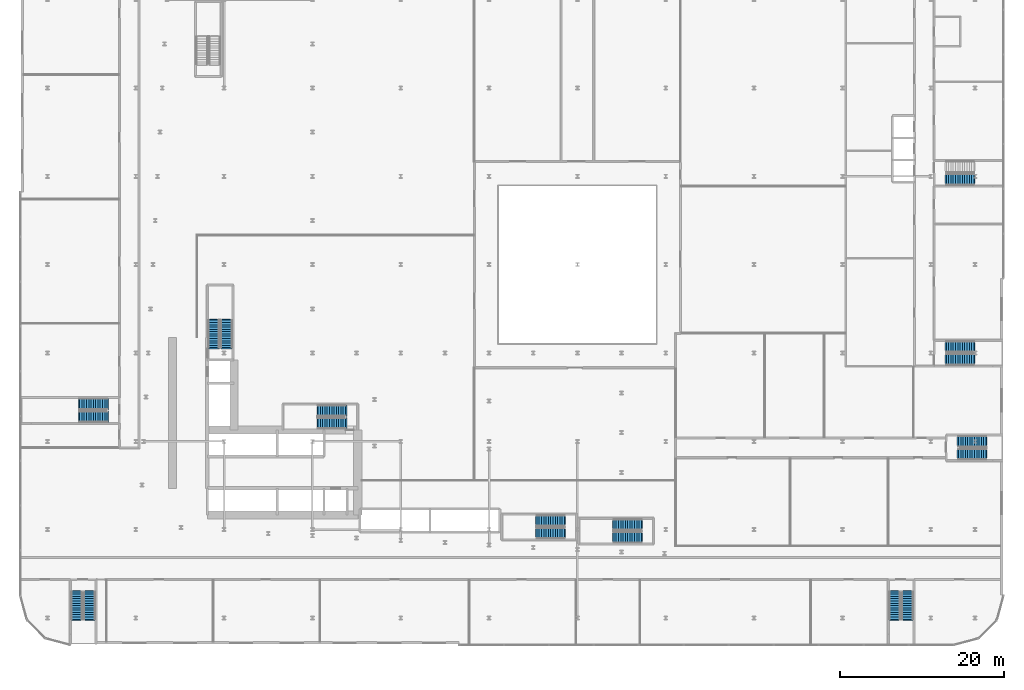
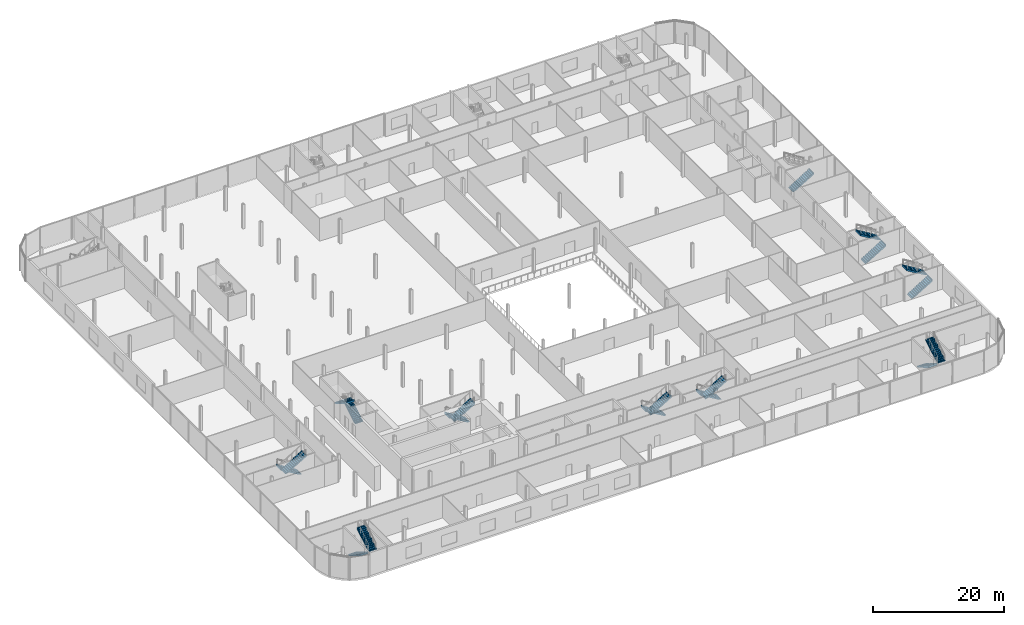
# One storey, part 37 of 47: 19 stair flights, 10 elements without a shape of their own.
"""IFC4 building model written with IfcOpenShell, lengths in metres."""

from ifc_helpers import new_model, si_unit, direction, frame, origin, place, context, subcontext, project, spatial, polyline, outline, extrude, material, layer, layer_set, type_object, element, aggregate, save


model = new_model("IFC4")

# Units and contexts
model_context = context("Model", 3, precision=1e-05, world=origin(), true_north=direction((0.0, 1.0)))
body_context = subcontext(model_context, "Body", "Model", "MODEL_VIEW")
ifc_project = project(units=[si_unit("LENGTHUNIT", "METRE"), si_unit("AREAUNIT", "SQUARE_METRE"), si_unit("VOLUMEUNIT", "CUBIC_METRE"), si_unit("PLANEANGLEUNIT", "RADIAN"), si_unit("MASSUNIT", "GRAM", prefix="KILO")], contexts=[model_context])

# Site, building, storey
site_placement = place(None, origin())
site = spatial("IfcSite", under=ifc_project, at=site_placement, CompositionType="ELEMENT")
building_placement = place(site_placement, origin())
building = spatial("IfcBuilding", under=site, at=building_placement, Name="Kheshtan School and Residences Tower", CompositionType="ELEMENT")
storey_placement = place(building_placement, frame((0.0, 0.0, 21.5)))
storey = spatial("IfcBuildingStorey", under=building, at=storey_placement, Name="L04", CompositionType="ELEMENT", Elevation=21.5)

# Stair, stair flights
ifc_material = material(Name="Concrete C40/50", Category="concrete")
stair_type = type_object("IfcStairType", Name="Exit stair, half-turn", PredefinedType="HALF_TURN_STAIR", material=ifc_material)
stair_1_placement = place(storey_placement, origin())
stair_1 = element("IfcStair", 1, at=stair_1_placement, inside=storey, type_object=stair_type, Name="L04 Protected Exit Stair ST1", PredefinedType="HALF_TURN_STAIR")
ifc_layer = layer(ifc_material, 0.14990234375)
ifc_layer_set = layer_set([ifc_layer], Name="Stair flight 1400 Concrete C40/50")
stair_flight_type = type_object("IfcStairFlightType", Name="Stair flight 1400 Concrete C40/50", PredefinedType="STRAIGHT", material=ifc_layer_set)
stair_flight_1_placement = place(storey_placement, frame((51.64990234375, 38.550048828125, 0.0), z_axis=(0.0, 0.0, 1.0), x_axis=(-1.0, 0.0, 0.0)))
stair_flight_1 = element("IfcStairFlight", 2, at=stair_flight_1_placement, type_object=stair_flight_type, Name="ST1 flight 1", NumberOfRisers=13, NumberOfTreads=12, PredefinedType="STRAIGHT", RiserHeight=0.173076923, TreadLength=0.28, context=body_context, shape_type="SweptSolid", body=[
    extrude(outline(polyline([(-0.14990234375, -0.10009765625), (-0.14990234375, 0.0), (0.0, 0.0), (0.0, 0.173095703125), (0.280029296875, 0.173095703125), (0.280029296875, 0.34619140625), (0.56005859375, 0.34619140625), (0.56005859375, 0.519287109375), (0.840087890625, 0.519287109375), (0.840087890625, 0.6923828125), (1.1201171875, 0.6923828125), (1.1201171875, 0.865478515625), (1.39990234375, 0.865478515625), (1.39990234375, 1.03857421875), (1.679931640625, 1.03857421875), (1.679931640625, 1.21142578125), (1.9599609375, 1.21142578125), (1.9599609375, 1.384521484375), (2.239990234375, 1.384521484375), (2.239990234375, 1.5576171875), (2.52001953125, 1.5576171875), (2.52001953125, 1.730712890625), (2.800048828125, 1.730712890625), (2.800048828125, 1.90380859375), (3.080078125, 1.90380859375), (3.080078125, 2.076904296875), (3.360107421875, 2.076904296875), (3.360107421875, 2.25), (3.360107421875, 2.27001953125), (3.510009765625, 2.27001953125), (3.510009765625, 1.900634765625), (0.28515625, 0.0), (-0.14990234375, -0.10009765625)])), frame((0.0, 0.699951171875, 0.0), z_axis=(0.0, -1.0, 0.0), x_axis=(1.0, 0.0, 0.0)), (0.0, 0.0, 1.0), 1.39990234375),
])
stair_flight_2_placement = place(storey_placement, frame((48.2900390625, 37.0, 2.25), z_axis=(0.0, 0.0, 1.0), x_axis=(1.0, 0.0, 0.0)))
stair_flight_2 = element("IfcStairFlight", 3, at=stair_flight_2_placement, type_object=stair_flight_type, Name="ST1 flight 2", NumberOfRisers=13, NumberOfTreads=12, PredefinedType="STRAIGHT", RiserHeight=0.173076923, TreadLength=0.28, context=body_context, shape_type="SweptSolid", body=[
    extrude(outline(polyline([(-0.14990234375, -0.10009765625), (-0.14990234375, 0.0), (0.0, 0.0), (0.0, 0.173095703125), (0.280029296875, 0.173095703125), (0.280029296875, 0.34619140625), (0.56005859375, 0.34619140625), (0.56005859375, 0.519287109375), (0.840087890625, 0.519287109375), (0.840087890625, 0.6923828125), (1.1201171875, 0.6923828125), (1.1201171875, 0.865478515625), (1.39990234375, 0.865478515625), (1.39990234375, 1.03857421875), (1.679931640625, 1.03857421875), (1.679931640625, 1.21142578125), (1.9599609375, 1.21142578125), (1.9599609375, 1.384521484375), (2.239990234375, 1.384521484375), (2.239990234375, 1.5576171875), (2.52001953125, 1.5576171875), (2.52001953125, 1.730712890625), (2.800048828125, 1.730712890625), (2.800048828125, 1.90380859375), (3.080078125, 1.90380859375), (3.080078125, 2.076904296875), (3.360107421875, 2.076904296875), (3.360107421875, 2.25), (3.360107421875, 2.27001953125), (3.510009765625, 2.27001953125), (3.510009765625, 1.900634765625), (0.28515625, 0.0), (-0.14990234375, -0.10009765625)])), frame((0.0, 0.699951171875, 0.0), z_axis=(0.0, -1.0, 0.0), x_axis=(1.0, 0.0, 0.0)), (0.0, 0.0, 1.0), 1.39990234375),
])
aggregate(stair_1, [stair_flight_1, stair_flight_2])

stair_2_placement = place(storey_placement, origin())
stair_2 = element("IfcStair", 4, at=stair_2_placement, inside=storey, type_object=stair_type, Name="L04 Protected Exit Stair ST2", PredefinedType="HALF_TURN_STAIR")
stair_flight_3_placement = place(storey_placement, frame((37.10009765625, 46.25, 0.0), z_axis=(0.0, 0.0, 1.0), x_axis=(0.0, 1.0, 0.0)))
stair_flight_3 = element("IfcStairFlight", 5, at=stair_flight_3_placement, type_object=stair_flight_type, Name="ST2 flight 1", NumberOfRisers=13, NumberOfTreads=12, PredefinedType="STRAIGHT", RiserHeight=0.173076923, TreadLength=0.28, context=body_context, shape_type="SweptSolid", body=[
    extrude(outline(polyline([(-0.14990234375, -0.10009765625), (-0.14990234375, 0.0), (0.0, 0.0), (0.0, 0.173095703125), (0.280029296875, 0.173095703125), (0.280029296875, 0.34619140625), (0.56005859375, 0.34619140625), (0.56005859375, 0.519287109375), (0.840087890625, 0.519287109375), (0.840087890625, 0.6923828125), (1.1201171875, 0.6923828125), (1.1201171875, 0.865478515625), (1.39990234375, 0.865478515625), (1.39990234375, 1.03857421875), (1.679931640625, 1.03857421875), (1.679931640625, 1.21142578125), (1.9599609375, 1.21142578125), (1.9599609375, 1.384521484375), (2.239990234375, 1.384521484375), (2.239990234375, 1.5576171875), (2.52001953125, 1.5576171875), (2.52001953125, 1.730712890625), (2.800048828125, 1.730712890625), (2.800048828125, 1.90380859375), (3.080078125, 1.90380859375), (3.080078125, 2.076904296875), (3.360107421875, 2.076904296875), (3.360107421875, 2.25), (3.360107421875, 2.27001953125), (3.510009765625, 2.27001953125), (3.510009765625, 1.900634765625), (0.28515625, 0.0), (-0.14990234375, -0.10009765625)])), frame((0.0, 0.699951171875, 0.0), z_axis=(0.0, -1.0, 0.0), x_axis=(1.0, 0.0, 0.0)), (0.0, 0.0, 1.0), 1.39990234375),
])
stair_flight_4_placement = place(storey_placement, frame((35.550048828125, 49.610107421875, 2.25), z_axis=(0.0, 0.0, 1.0), x_axis=(0.0, -1.0, 0.0)))
stair_flight_4 = element("IfcStairFlight", 6, at=stair_flight_4_placement, type_object=stair_flight_type, Name="ST2 flight 2", NumberOfRisers=13, NumberOfTreads=12, PredefinedType="STRAIGHT", RiserHeight=0.173076923, TreadLength=0.28, context=body_context, shape_type="SweptSolid", body=[
    extrude(outline(polyline([(-0.14990234375, -0.10009765625), (-0.14990234375, 0.0), (0.0, 0.0), (0.0, 0.173095703125), (0.280029296875, 0.173095703125), (0.280029296875, 0.34619140625), (0.56005859375, 0.34619140625), (0.56005859375, 0.519287109375), (0.840087890625, 0.519287109375), (0.840087890625, 0.6923828125), (1.1201171875, 0.6923828125), (1.1201171875, 0.865478515625), (1.39990234375, 0.865478515625), (1.39990234375, 1.03857421875), (1.679931640625, 1.03857421875), (1.679931640625, 1.21142578125), (1.9599609375, 1.21142578125), (1.9599609375, 1.384521484375), (2.239990234375, 1.384521484375), (2.239990234375, 1.5576171875), (2.52001953125, 1.5576171875), (2.52001953125, 1.730712890625), (2.800048828125, 1.730712890625), (2.800048828125, 1.90380859375), (3.080078125, 1.90380859375), (3.080078125, 2.076904296875), (3.360107421875, 2.076904296875), (3.360107421875, 2.25), (3.360107421875, 2.27001953125), (3.510009765625, 2.27001953125), (3.510009765625, 1.900634765625), (0.28515625, 0.0), (-0.14990234375, -0.10009765625)])), frame((0.0, 0.699951171875, 0.0), z_axis=(0.0, -1.0, 0.0), x_axis=(1.0, 0.0, 0.0)), (0.0, 0.0, 1.0), 1.39990234375),
])
aggregate(stair_2, [stair_flight_3, stair_flight_4])

stair_3_placement = place(storey_placement, origin())
stair_3 = element("IfcStair", 7, at=stair_3_placement, inside=storey, type_object=stair_type, Name="L04 Protected Exit Stair ST4", PredefinedType="HALF_TURN_STAIR")
stair_flight_5_placement = place(storey_placement, frame((87.820068359375, 24.60009765625, 0.0), z_axis=(0.0, 0.0, 1.0), x_axis=(-1.0, 0.0, 0.0)))
stair_flight_5 = element("IfcStairFlight", 8, at=stair_flight_5_placement, type_object=stair_flight_type, Name="ST4 flight 1", NumberOfRisers=13, NumberOfTreads=12, PredefinedType="STRAIGHT", RiserHeight=0.173076923, TreadLength=0.28, context=body_context, shape_type="SweptSolid", body=[
    extrude(outline(polyline([(-0.14990234375, -0.10009765625), (-0.14990234375, 0.0), (0.0, 0.0), (0.0, 0.173095703125), (0.280029296875, 0.173095703125), (0.280029296875, 0.34619140625), (0.56005859375, 0.34619140625), (0.56005859375, 0.519287109375), (0.840087890625, 0.519287109375), (0.840087890625, 0.6923828125), (1.1201171875, 0.6923828125), (1.1201171875, 0.865478515625), (1.39990234375, 0.865478515625), (1.39990234375, 1.03857421875), (1.679931640625, 1.03857421875), (1.679931640625, 1.21142578125), (1.9599609375, 1.21142578125), (1.9599609375, 1.384521484375), (2.239990234375, 1.384521484375), (2.239990234375, 1.5576171875), (2.52001953125, 1.5576171875), (2.52001953125, 1.730712890625), (2.800048828125, 1.730712890625), (2.800048828125, 1.90380859375), (3.080078125, 1.90380859375), (3.080078125, 2.076904296875), (3.360107421875, 2.076904296875), (3.360107421875, 2.25), (3.360107421875, 2.27001953125), (3.510009765625, 2.27001953125), (3.510009765625, 1.900634765625), (0.28515625, 0.0), (-0.14990234375, -0.10009765625)])), frame((0.0, 0.699951171875, 0.0), z_axis=(0.0, -1.0, 0.0), x_axis=(1.0, 0.0, 0.0)), (0.0, 0.0, 1.0), 1.39990234375),
])
stair_flight_6_placement = place(storey_placement, frame((84.4599609375, 23.050048828125, 2.25), z_axis=(0.0, 0.0, 1.0), x_axis=(1.0, 0.0, 0.0)))
stair_flight_6 = element("IfcStairFlight", 9, at=stair_flight_6_placement, type_object=stair_flight_type, Name="ST4 flight 2", NumberOfRisers=13, NumberOfTreads=12, PredefinedType="STRAIGHT", RiserHeight=0.173076923, TreadLength=0.28, context=body_context, shape_type="SweptSolid", body=[
    extrude(outline(polyline([(-0.14990234375, -0.10009765625), (-0.14990234375, 0.0), (0.0, 0.0), (0.0, 0.173095703125), (0.280029296875, 0.173095703125), (0.280029296875, 0.34619140625), (0.56005859375, 0.34619140625), (0.56005859375, 0.519287109375), (0.840087890625, 0.519287109375), (0.840087890625, 0.6923828125), (1.1201171875, 0.6923828125), (1.1201171875, 0.865478515625), (1.39990234375, 0.865478515625), (1.39990234375, 1.03857421875), (1.679931640625, 1.03857421875), (1.679931640625, 1.21142578125), (1.9599609375, 1.21142578125), (1.9599609375, 1.384521484375), (2.239990234375, 1.384521484375), (2.239990234375, 1.5576171875), (2.52001953125, 1.5576171875), (2.52001953125, 1.730712890625), (2.800048828125, 1.730712890625), (2.800048828125, 1.90380859375), (3.080078125, 1.90380859375), (3.080078125, 2.076904296875), (3.360107421875, 2.076904296875), (3.360107421875, 2.25), (3.360107421875, 2.27001953125), (3.510009765625, 2.27001953125), (3.510009765625, 1.900634765625), (0.28515625, 0.0), (-0.14990234375, -0.10009765625)])), frame((0.0, 0.699951171875, 0.0), z_axis=(0.0, -1.0, 0.0), x_axis=(1.0, 0.0, 0.0)), (0.0, 0.0, 1.0), 1.39990234375),
])
aggregate(stair_3, [stair_flight_5, stair_flight_6])

stair_4_placement = place(storey_placement, origin())
stair_4 = element("IfcStair", 10, at=stair_4_placement, inside=storey, type_object=stair_type, Name="L04 Protected Exit Stair ST5", PredefinedType="HALF_TURN_STAIR")
stair_flight_7_placement = place(storey_placement, frame((78.409912109375, 25.10009765625, 0.0), z_axis=(0.0, 0.0, 1.0), x_axis=(-1.0, 0.0, 0.0)))
stair_flight_7 = element("IfcStairFlight", 11, at=stair_flight_7_placement, type_object=stair_flight_type, Name="ST5 flight 1", NumberOfRisers=13, NumberOfTreads=12, PredefinedType="STRAIGHT", RiserHeight=0.173076923, TreadLength=0.28, context=body_context, shape_type="SweptSolid", body=[
    extrude(outline(polyline([(-0.14990234375, -0.10009765625), (-0.14990234375, 0.0), (0.0, 0.0), (0.0, 0.173095703125), (0.280029296875, 0.173095703125), (0.280029296875, 0.34619140625), (0.56005859375, 0.34619140625), (0.56005859375, 0.519287109375), (0.840087890625, 0.519287109375), (0.840087890625, 0.6923828125), (1.1201171875, 0.6923828125), (1.1201171875, 0.865478515625), (1.39990234375, 0.865478515625), (1.39990234375, 1.03857421875), (1.679931640625, 1.03857421875), (1.679931640625, 1.21142578125), (1.9599609375, 1.21142578125), (1.9599609375, 1.384521484375), (2.239990234375, 1.384521484375), (2.239990234375, 1.5576171875), (2.52001953125, 1.5576171875), (2.52001953125, 1.730712890625), (2.800048828125, 1.730712890625), (2.800048828125, 1.90380859375), (3.080078125, 1.90380859375), (3.080078125, 2.076904296875), (3.360107421875, 2.076904296875), (3.360107421875, 2.25), (3.360107421875, 2.27001953125), (3.510009765625, 2.27001953125), (3.510009765625, 1.900634765625), (0.28515625, 0.0), (-0.14990234375, -0.10009765625)])), frame((0.0, 0.699951171875, 0.0), z_axis=(0.0, -1.0, 0.0), x_axis=(1.0, 0.0, 0.0)), (0.0, 0.0, 1.0), 1.39990234375),
])
stair_flight_8_placement = place(storey_placement, frame((75.050048828125, 23.550048828125, 2.25), z_axis=(0.0, 0.0, 1.0), x_axis=(1.0, 0.0, 0.0)))
stair_flight_8 = element("IfcStairFlight", 12, at=stair_flight_8_placement, type_object=stair_flight_type, Name="ST5 flight 2", NumberOfRisers=13, NumberOfTreads=12, PredefinedType="STRAIGHT", RiserHeight=0.173076923, TreadLength=0.28, context=body_context, shape_type="SweptSolid", body=[
    extrude(outline(polyline([(-0.14990234375, -0.10009765625), (-0.14990234375, 0.0), (0.0, 0.0), (0.0, 0.173095703125), (0.280029296875, 0.173095703125), (0.280029296875, 0.34619140625), (0.56005859375, 0.34619140625), (0.56005859375, 0.519287109375), (0.840087890625, 0.519287109375), (0.840087890625, 0.6923828125), (1.1201171875, 0.6923828125), (1.1201171875, 0.865478515625), (1.39990234375, 0.865478515625), (1.39990234375, 1.03857421875), (1.679931640625, 1.03857421875), (1.679931640625, 1.21142578125), (1.9599609375, 1.21142578125), (1.9599609375, 1.384521484375), (2.239990234375, 1.384521484375), (2.239990234375, 1.5576171875), (2.52001953125, 1.5576171875), (2.52001953125, 1.730712890625), (2.800048828125, 1.730712890625), (2.800048828125, 1.90380859375), (3.080078125, 1.90380859375), (3.080078125, 2.076904296875), (3.360107421875, 2.076904296875), (3.360107421875, 2.25), (3.360107421875, 2.27001953125), (3.510009765625, 2.27001953125), (3.510009765625, 1.900634765625), (0.28515625, 0.0), (-0.14990234375, -0.10009765625)])), frame((0.0, 0.699951171875, 0.0), z_axis=(0.0, -1.0, 0.0), x_axis=(1.0, 0.0, 0.0)), (0.0, 0.0, 1.0), 1.39990234375),
])
aggregate(stair_4, [stair_flight_7, stair_flight_8])

stair_5_placement = place(storey_placement, origin())
stair_5 = element("IfcStair", 13, at=stair_5_placement, inside=storey, type_object=stair_type, Name="L04 Civic Exit Stair 012-037", PredefinedType="HALF_TURN_STAIR")
stair_flight_9_placement = place(storey_placement, frame((22.5, 39.35009765625, 0.0), z_axis=(0.0, 0.0, 1.0), x_axis=(-1.0, 0.0, 0.0)))
stair_flight_9 = element("IfcStairFlight", 14, at=stair_flight_9_placement, type_object=stair_flight_type, Name="PS-012-037 flight 1", NumberOfRisers=13, NumberOfTreads=12, PredefinedType="STRAIGHT", RiserHeight=0.173076923, TreadLength=0.28, context=body_context, shape_type="SweptSolid", body=[
    extrude(outline(polyline([(-0.14990234375, -0.10009765625), (-0.14990234375, 0.0), (0.0, 0.0), (0.0, 0.173095703125), (0.280029296875, 0.173095703125), (0.280029296875, 0.34619140625), (0.56005859375, 0.34619140625), (0.56005859375, 0.519287109375), (0.840087890625, 0.519287109375), (0.840087890625, 0.6923828125), (1.1201171875, 0.6923828125), (1.1201171875, 0.865478515625), (1.39990234375, 0.865478515625), (1.39990234375, 1.03857421875), (1.679931640625, 1.03857421875), (1.679931640625, 1.21142578125), (1.9599609375, 1.21142578125), (1.9599609375, 1.384521484375), (2.239990234375, 1.384521484375), (2.239990234375, 1.5576171875), (2.52001953125, 1.5576171875), (2.52001953125, 1.730712890625), (2.800048828125, 1.730712890625), (2.800048828125, 1.90380859375), (3.080078125, 1.90380859375), (3.080078125, 2.076904296875), (3.360107421875, 2.076904296875), (3.360107421875, 2.25), (3.360107421875, 2.27001953125), (3.510009765625, 2.27001953125), (3.510009765625, 1.900634765625), (0.28515625, 0.0), (-0.14990234375, -0.10009765625)])), frame((0.0, 0.699951171875, 0.0), z_axis=(0.0, -1.0, 0.0), x_axis=(1.0, 0.0, 0.0)), (0.0, 0.0, 1.0), 1.39990234375),
])
stair_flight_10_placement = place(storey_placement, frame((19.139892578125, 37.800048828125, 2.25), z_axis=(0.0, 0.0, 1.0), x_axis=(1.0, 0.0, 0.0)))
stair_flight_10 = element("IfcStairFlight", 15, at=stair_flight_10_placement, type_object=stair_flight_type, Name="PS-012-037 flight 2", NumberOfRisers=13, NumberOfTreads=12, PredefinedType="STRAIGHT", RiserHeight=0.173076923, TreadLength=0.28, context=body_context, shape_type="SweptSolid", body=[
    extrude(outline(polyline([(-0.14990234375, -0.10009765625), (-0.14990234375, 0.0), (0.0, 0.0), (0.0, 0.173095703125), (0.280029296875, 0.173095703125), (0.280029296875, 0.34619140625), (0.56005859375, 0.34619140625), (0.56005859375, 0.519287109375), (0.840087890625, 0.519287109375), (0.840087890625, 0.6923828125), (1.1201171875, 0.6923828125), (1.1201171875, 0.865478515625), (1.39990234375, 0.865478515625), (1.39990234375, 1.03857421875), (1.679931640625, 1.03857421875), (1.679931640625, 1.21142578125), (1.9599609375, 1.21142578125), (1.9599609375, 1.384521484375), (2.239990234375, 1.384521484375), (2.239990234375, 1.5576171875), (2.52001953125, 1.5576171875), (2.52001953125, 1.730712890625), (2.800048828125, 1.730712890625), (2.800048828125, 1.90380859375), (3.080078125, 1.90380859375), (3.080078125, 2.076904296875), (3.360107421875, 2.076904296875), (3.360107421875, 2.25), (3.360107421875, 2.27001953125), (3.510009765625, 2.27001953125), (3.510009765625, 1.900634765625), (0.28515625, 0.0), (-0.14990234375, -0.10009765625)])), frame((0.0, 0.699951171875, 0.0), z_axis=(0.0, -1.0, 0.0), x_axis=(1.0, 0.0, 0.0)), (0.0, 0.0, 1.0), 1.39990234375),
])
aggregate(stair_5, [stair_flight_9, stair_flight_10])

stair_6_placement = place(storey_placement, origin())
stair_6 = element("IfcStair", 16, at=stair_6_placement, inside=storey, type_object=stair_type, Name="L04 Civic Exit Stair 018-010", PredefinedType="HALF_TURN_STAIR")
stair_flight_11_placement = place(storey_placement, frame((18.800048828125, 16.39990234375, 0.0), z_axis=(0.0, 0.0, 1.0), x_axis=(0.0, -1.0, 0.0)))
stair_flight_11 = element("IfcStairFlight", 17, at=stair_flight_11_placement, type_object=stair_flight_type, Name="PS-018-010 flight 1", NumberOfRisers=13, NumberOfTreads=12, PredefinedType="STRAIGHT", RiserHeight=0.173076923, TreadLength=0.28, context=body_context, shape_type="SweptSolid", body=[
    extrude(outline(polyline([(-0.14990234375, -0.10009765625), (-0.14990234375, 0.0), (0.0, 0.0), (0.0, 0.173095703125), (0.280029296875, 0.173095703125), (0.280029296875, 0.34619140625), (0.56005859375, 0.34619140625), (0.56005859375, 0.519287109375), (0.840087890625, 0.519287109375), (0.840087890625, 0.6923828125), (1.1201171875, 0.6923828125), (1.1201171875, 0.865478515625), (1.39990234375, 0.865478515625), (1.39990234375, 1.03857421875), (1.679931640625, 1.03857421875), (1.679931640625, 1.21142578125), (1.9599609375, 1.21142578125), (1.9599609375, 1.384521484375), (2.239990234375, 1.384521484375), (2.239990234375, 1.5576171875), (2.52001953125, 1.5576171875), (2.52001953125, 1.730712890625), (2.800048828125, 1.730712890625), (2.800048828125, 1.90380859375), (3.080078125, 1.90380859375), (3.080078125, 2.076904296875), (3.360107421875, 2.076904296875), (3.360107421875, 2.25), (3.360107421875, 2.27001953125), (3.510009765625, 2.27001953125), (3.510009765625, 1.900634765625), (0.28515625, 0.0), (-0.14990234375, -0.10009765625)])), frame((0.0, 0.699951171875, 0.0), z_axis=(0.0, -1.0, 0.0), x_axis=(1.0, 0.0, 0.0)), (0.0, 0.0, 1.0), 1.39990234375),
])
stair_flight_12_placement = place(storey_placement, frame((20.35009765625, 13.0400390625, 2.25), z_axis=(0.0, 0.0, 1.0), x_axis=(0.0, 1.0, 0.0)))
stair_flight_12 = element("IfcStairFlight", 18, at=stair_flight_12_placement, type_object=stair_flight_type, Name="PS-018-010 flight 2", NumberOfRisers=13, NumberOfTreads=12, PredefinedType="STRAIGHT", RiserHeight=0.173076923, TreadLength=0.28, context=body_context, shape_type="SweptSolid", body=[
    extrude(outline(polyline([(-0.14990234375, -0.10009765625), (-0.14990234375, 0.0), (0.0, 0.0), (0.0, 0.173095703125), (0.280029296875, 0.173095703125), (0.280029296875, 0.34619140625), (0.56005859375, 0.34619140625), (0.56005859375, 0.519287109375), (0.840087890625, 0.519287109375), (0.840087890625, 0.6923828125), (1.1201171875, 0.6923828125), (1.1201171875, 0.865478515625), (1.39990234375, 0.865478515625), (1.39990234375, 1.03857421875), (1.679931640625, 1.03857421875), (1.679931640625, 1.21142578125), (1.9599609375, 1.21142578125), (1.9599609375, 1.384521484375), (2.239990234375, 1.384521484375), (2.239990234375, 1.5576171875), (2.52001953125, 1.5576171875), (2.52001953125, 1.730712890625), (2.800048828125, 1.730712890625), (2.800048828125, 1.90380859375), (3.080078125, 1.90380859375), (3.080078125, 2.076904296875), (3.360107421875, 2.076904296875), (3.360107421875, 2.25), (3.360107421875, 2.27001953125), (3.510009765625, 2.27001953125), (3.510009765625, 1.900634765625), (0.28515625, 0.0), (-0.14990234375, -0.10009765625)])), frame((0.0, 0.699951171875, 0.0), z_axis=(0.0, -1.0, 0.0), x_axis=(1.0, 0.0, 0.0)), (0.0, 0.0, 1.0), 1.39990234375),
])
aggregate(stair_6, [stair_flight_11, stair_flight_12])

stair_7_placement = place(storey_placement, origin())
stair_7 = element("IfcStair", 19, at=stair_7_placement, inside=storey, type_object=stair_type, Name="L04 Civic Exit Stair 118-010", PredefinedType="HALF_TURN_STAIR")
stair_flight_13_placement = place(storey_placement, frame((118.800048828125, 16.39990234375, 0.0), z_axis=(0.0, 0.0, 1.0), x_axis=(0.0, -1.0, 0.0)))
stair_flight_13 = element("IfcStairFlight", 20, at=stair_flight_13_placement, type_object=stair_flight_type, Name="PS-118-010 flight 1", NumberOfRisers=13, NumberOfTreads=12, PredefinedType="STRAIGHT", RiserHeight=0.173076923, TreadLength=0.28, context=body_context, shape_type="SweptSolid", body=[
    extrude(outline(polyline([(-0.14990234375, -0.10009765625), (-0.14990234375, 0.0), (0.0, 0.0), (0.0, 0.173095703125), (0.280029296875, 0.173095703125), (0.280029296875, 0.34619140625), (0.56005859375, 0.34619140625), (0.56005859375, 0.519287109375), (0.840087890625, 0.519287109375), (0.840087890625, 0.6923828125), (1.1201171875, 0.6923828125), (1.1201171875, 0.865478515625), (1.39990234375, 0.865478515625), (1.39990234375, 1.03857421875), (1.679931640625, 1.03857421875), (1.679931640625, 1.21142578125), (1.9599609375, 1.21142578125), (1.9599609375, 1.384521484375), (2.239990234375, 1.384521484375), (2.239990234375, 1.5576171875), (2.52001953125, 1.5576171875), (2.52001953125, 1.730712890625), (2.800048828125, 1.730712890625), (2.800048828125, 1.90380859375), (3.080078125, 1.90380859375), (3.080078125, 2.076904296875), (3.360107421875, 2.076904296875), (3.360107421875, 2.25), (3.360107421875, 2.27001953125), (3.510009765625, 2.27001953125), (3.510009765625, 1.900634765625), (0.28515625, 0.0), (-0.14990234375, -0.10009765625)])), frame((0.0, 0.699951171875, 0.0), z_axis=(0.0, -1.0, 0.0), x_axis=(1.0, 0.0, 0.0)), (0.0, 0.0, 1.0), 1.39990234375),
])
stair_flight_14_placement = place(storey_placement, frame((120.35009765625, 13.0400390625, 2.25), z_axis=(0.0, 0.0, 1.0), x_axis=(0.0, 1.0, 0.0)))
stair_flight_14 = element("IfcStairFlight", 21, at=stair_flight_14_placement, type_object=stair_flight_type, Name="PS-118-010 flight 2", NumberOfRisers=13, NumberOfTreads=12, PredefinedType="STRAIGHT", RiserHeight=0.173076923, TreadLength=0.28, context=body_context, shape_type="SweptSolid", body=[
    extrude(outline(polyline([(-0.14990234375, -0.10009765625), (-0.14990234375, 0.0), (0.0, 0.0), (0.0, 0.173095703125), (0.280029296875, 0.173095703125), (0.280029296875, 0.34619140625), (0.56005859375, 0.34619140625), (0.56005859375, 0.519287109375), (0.840087890625, 0.519287109375), (0.840087890625, 0.6923828125), (1.1201171875, 0.6923828125), (1.1201171875, 0.865478515625), (1.39990234375, 0.865478515625), (1.39990234375, 1.03857421875), (1.679931640625, 1.03857421875), (1.679931640625, 1.21142578125), (1.9599609375, 1.21142578125), (1.9599609375, 1.384521484375), (2.239990234375, 1.384521484375), (2.239990234375, 1.5576171875), (2.52001953125, 1.5576171875), (2.52001953125, 1.730712890625), (2.800048828125, 1.730712890625), (2.800048828125, 1.90380859375), (3.080078125, 1.90380859375), (3.080078125, 2.076904296875), (3.360107421875, 2.076904296875), (3.360107421875, 2.25), (3.360107421875, 2.27001953125), (3.510009765625, 2.27001953125), (3.510009765625, 1.900634765625), (0.28515625, 0.0), (-0.14990234375, -0.10009765625)])), frame((0.0, 0.699951171875, 0.0), z_axis=(0.0, -1.0, 0.0), x_axis=(1.0, 0.0, 0.0)), (0.0, 0.0, 1.0), 1.39990234375),
])
aggregate(stair_7, [stair_flight_13, stair_flight_14])

stair_8_placement = place(storey_placement, origin())
stair_8 = element("IfcStair", 22, at=stair_8_placement, inside=storey, type_object=stair_type, Name="L04 School Exit Stair 124-044", PredefinedType="HALF_TURN_STAIR")
stair_flight_15_placement = place(storey_placement, frame((125.10009765625, 44.800048828125, 0.0), z_axis=(0.0, 0.0, 1.0), x_axis=(1.0, 0.0, 0.0)))
stair_flight_15 = element("IfcStairFlight", 23, at=stair_flight_15_placement, type_object=stair_flight_type, Name="PS-124-044 flight 1", NumberOfRisers=13, NumberOfTreads=12, PredefinedType="STRAIGHT", RiserHeight=0.173076923, TreadLength=0.28, context=body_context, shape_type="SweptSolid", body=[
    extrude(outline(polyline([(-0.14990234375, -0.10009765625), (-0.14990234375, 0.0), (0.0, 0.0), (0.0, 0.173095703125), (0.280029296875, 0.173095703125), (0.280029296875, 0.34619140625), (0.56005859375, 0.34619140625), (0.56005859375, 0.519287109375), (0.840087890625, 0.519287109375), (0.840087890625, 0.6923828125), (1.1201171875, 0.6923828125), (1.1201171875, 0.865478515625), (1.39990234375, 0.865478515625), (1.39990234375, 1.03857421875), (1.679931640625, 1.03857421875), (1.679931640625, 1.21142578125), (1.9599609375, 1.21142578125), (1.9599609375, 1.384521484375), (2.239990234375, 1.384521484375), (2.239990234375, 1.5576171875), (2.52001953125, 1.5576171875), (2.52001953125, 1.730712890625), (2.800048828125, 1.730712890625), (2.800048828125, 1.90380859375), (3.080078125, 1.90380859375), (3.080078125, 2.076904296875), (3.360107421875, 2.076904296875), (3.360107421875, 2.25), (3.360107421875, 2.27001953125), (3.510009765625, 2.27001953125), (3.510009765625, 1.900634765625), (0.28515625, 0.0), (-0.14990234375, -0.10009765625)])), frame((0.0, 0.699951171875, 0.0), z_axis=(0.0, -1.0, 0.0), x_axis=(1.0, 0.0, 0.0)), (0.0, 0.0, 1.0), 1.39990234375),
])
stair_flight_16_placement = place(storey_placement, frame((128.4599609375, 46.35009765625, 2.25), z_axis=(0.0, 0.0, 1.0), x_axis=(-1.0, 0.0, 0.0)))
stair_flight_16 = element("IfcStairFlight", 24, at=stair_flight_16_placement, type_object=stair_flight_type, Name="PS-124-044 flight 2", NumberOfRisers=13, NumberOfTreads=12, PredefinedType="STRAIGHT", RiserHeight=0.173076923, TreadLength=0.28, context=body_context, shape_type="SweptSolid", body=[
    extrude(outline(polyline([(-0.14990234375, -0.10009765625), (-0.14990234375, 0.0), (0.0, 0.0), (0.0, 0.173095703125), (0.280029296875, 0.173095703125), (0.280029296875, 0.34619140625), (0.56005859375, 0.34619140625), (0.56005859375, 0.519287109375), (0.840087890625, 0.519287109375), (0.840087890625, 0.6923828125), (1.1201171875, 0.6923828125), (1.1201171875, 0.865478515625), (1.39990234375, 0.865478515625), (1.39990234375, 1.03857421875), (1.679931640625, 1.03857421875), (1.679931640625, 1.21142578125), (1.9599609375, 1.21142578125), (1.9599609375, 1.384521484375), (2.239990234375, 1.384521484375), (2.239990234375, 1.5576171875), (2.52001953125, 1.5576171875), (2.52001953125, 1.730712890625), (2.800048828125, 1.730712890625), (2.800048828125, 1.90380859375), (3.080078125, 1.90380859375), (3.080078125, 2.076904296875), (3.360107421875, 2.076904296875), (3.360107421875, 2.25), (3.360107421875, 2.27001953125), (3.510009765625, 2.27001953125), (3.510009765625, 1.900634765625), (0.28515625, 0.0), (-0.14990234375, -0.10009765625)])), frame((0.0, 0.699951171875, 0.0), z_axis=(0.0, -1.0, 0.0), x_axis=(1.0, 0.0, 0.0)), (0.0, 0.0, 1.0), 1.39990234375),
])
aggregate(stair_8, [stair_flight_15, stair_flight_16])

# Stair, stair flight
stair_9_placement = place(storey_placement, origin())
stair_9 = element("IfcStair", 25, at=stair_9_placement, inside=storey, type_object=stair_type, Name="L04 School Exit Stair 124-066", PredefinedType="HALF_TURN_STAIR")
stair_flight_17_placement = place(storey_placement, frame((125.10009765625, 66.800048828125, 0.0), z_axis=(0.0, 0.0, 1.0), x_axis=(1.0, 0.0, 0.0)))
stair_flight_17 = element("IfcStairFlight", 26, at=stair_flight_17_placement, type_object=stair_flight_type, Name="PS-124-066 flight 1", NumberOfRisers=13, NumberOfTreads=12, PredefinedType="STRAIGHT", RiserHeight=0.173076923, TreadLength=0.28, context=body_context, shape_type="SweptSolid", body=[
    extrude(outline(polyline([(-0.14990234375, -0.10009765625), (-0.14990234375, 0.0), (0.0, 0.0), (0.0, 0.173095703125), (0.280029296875, 0.173095703125), (0.280029296875, 0.34619140625), (0.56005859375, 0.34619140625), (0.56005859375, 0.519287109375), (0.840087890625, 0.519287109375), (0.840087890625, 0.6923828125), (1.1201171875, 0.6923828125), (1.1201171875, 0.865478515625), (1.39990234375, 0.865478515625), (1.39990234375, 1.03857421875), (1.679931640625, 1.03857421875), (1.679931640625, 1.21142578125), (1.9599609375, 1.21142578125), (1.9599609375, 1.384521484375), (2.239990234375, 1.384521484375), (2.239990234375, 1.5576171875), (2.52001953125, 1.5576171875), (2.52001953125, 1.730712890625), (2.800048828125, 1.730712890625), (2.800048828125, 1.90380859375), (3.080078125, 1.90380859375), (3.080078125, 2.076904296875), (3.360107421875, 2.076904296875), (3.360107421875, 2.25), (3.360107421875, 2.27001953125), (3.510009765625, 2.27001953125), (3.510009765625, 1.900634765625), (0.28515625, 0.0), (-0.14990234375, -0.10009765625)])), frame((0.0, 0.699951171875, 0.0), z_axis=(0.0, -1.0, 0.0), x_axis=(1.0, 0.0, 0.0)), (0.0, 0.0, 1.0), 1.39990234375),
])
aggregate(stair_9, [stair_flight_17])

# Stair, stair flights
stair_10_placement = place(storey_placement, origin())
stair_10 = element("IfcStair", 27, at=stair_10_placement, inside=storey, type_object=stair_type, Name="L04 Civic Exit Stair 125-032", PredefinedType="HALF_TURN_STAIR")
stair_flight_18_placement = place(storey_placement, frame((126.580078125, 33.22509765625, 0.0), z_axis=(0.0, 0.0, 1.0), x_axis=(1.0, 0.0, 0.0)))
stair_flight_18 = element("IfcStairFlight", 28, at=stair_flight_18_placement, type_object=stair_flight_type, Name="PS-125-032 flight 1", NumberOfRisers=13, NumberOfTreads=12, PredefinedType="STRAIGHT", RiserHeight=0.173076923, TreadLength=0.28, context=body_context, shape_type="SweptSolid", body=[
    extrude(outline(polyline([(-0.14990234375, -0.10009765625), (-0.14990234375, 0.0), (0.0, 0.0), (0.0, 0.173095703125), (0.280029296875, 0.173095703125), (0.280029296875, 0.34619140625), (0.56005859375, 0.34619140625), (0.56005859375, 0.519287109375), (0.840087890625, 0.519287109375), (0.840087890625, 0.6923828125), (1.1201171875, 0.6923828125), (1.1201171875, 0.865478515625), (1.39990234375, 0.865478515625), (1.39990234375, 1.03857421875), (1.679931640625, 1.03857421875), (1.679931640625, 1.21142578125), (1.9599609375, 1.21142578125), (1.9599609375, 1.384521484375), (2.239990234375, 1.384521484375), (2.239990234375, 1.5576171875), (2.52001953125, 1.5576171875), (2.52001953125, 1.730712890625), (2.800048828125, 1.730712890625), (2.800048828125, 1.90380859375), (3.080078125, 1.90380859375), (3.080078125, 2.076904296875), (3.360107421875, 2.076904296875), (3.360107421875, 2.25), (3.360107421875, 2.27001953125), (3.510009765625, 2.27001953125), (3.510009765625, 1.900634765625), (0.28515625, 0.0), (-0.14990234375, -0.10009765625)])), frame((0.0, 0.699951171875, 0.0), z_axis=(0.0, -1.0, 0.0), x_axis=(1.0, 0.0, 0.0)), (0.0, 0.0, 1.0), 1.39990234375),
])
stair_flight_19_placement = place(storey_placement, frame((129.93994140625, 34.77490234375, 2.25), z_axis=(0.0, 0.0, 1.0), x_axis=(-1.0, 0.0, 0.0)))
stair_flight_19 = element("IfcStairFlight", 29, at=stair_flight_19_placement, type_object=stair_flight_type, Name="PS-125-032 flight 2", NumberOfRisers=13, NumberOfTreads=12, PredefinedType="STRAIGHT", RiserHeight=0.173076923, TreadLength=0.28, context=body_context, shape_type="SweptSolid", body=[
    extrude(outline(polyline([(-0.14990234375, -0.10009765625), (-0.14990234375, 0.0), (0.0, 0.0), (0.0, 0.173095703125), (0.280029296875, 0.173095703125), (0.280029296875, 0.34619140625), (0.56005859375, 0.34619140625), (0.56005859375, 0.519287109375), (0.840087890625, 0.519287109375), (0.840087890625, 0.6923828125), (1.1201171875, 0.6923828125), (1.1201171875, 0.865478515625), (1.39990234375, 0.865478515625), (1.39990234375, 1.03857421875), (1.679931640625, 1.03857421875), (1.679931640625, 1.21142578125), (1.9599609375, 1.21142578125), (1.9599609375, 1.384521484375), (2.239990234375, 1.384521484375), (2.239990234375, 1.5576171875), (2.52001953125, 1.5576171875), (2.52001953125, 1.730712890625), (2.800048828125, 1.730712890625), (2.800048828125, 1.90380859375), (3.080078125, 1.90380859375), (3.080078125, 2.076904296875), (3.360107421875, 2.076904296875), (3.360107421875, 2.25), (3.360107421875, 2.27001953125), (3.510009765625, 2.27001953125), (3.510009765625, 1.900634765625), (0.28515625, 0.0), (-0.14990234375, -0.10009765625)])), frame((0.0, 0.699951171875, 0.0), z_axis=(0.0, -1.0, 0.0), x_axis=(1.0, 0.0, 0.0)), (0.0, 0.0, 1.0), 1.39990234375),
])
aggregate(stair_10, [stair_flight_18, stair_flight_19])

save(model, "model.ifc")
